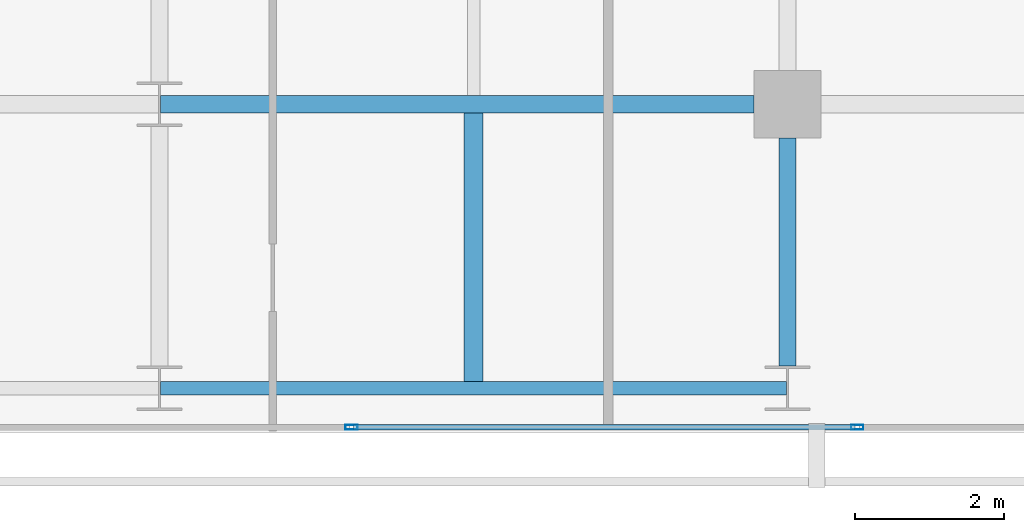
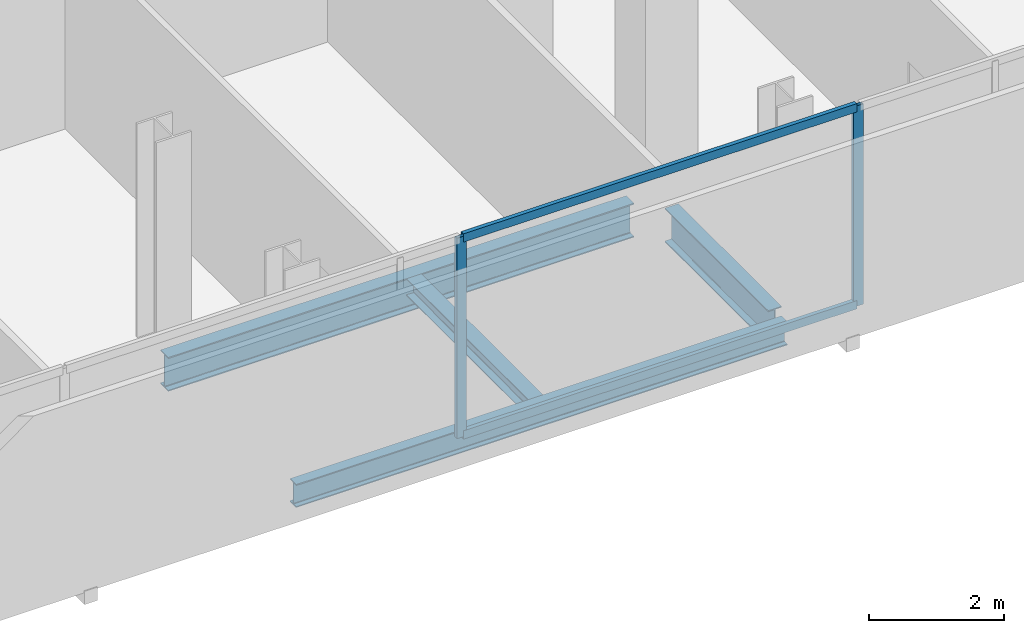
# One storey, part 12 of 33: 4 beams, 4 members, 1 element without a shape of its own.
"""IFC4 building model written with IfcOpenShell, lengths in metres."""

from ifc_helpers import new_model, si_unit, direction, frame, origin, origin_2d, place, context, subcontext, project, spatial, hollow_rectangle, i_section, extrude, material, layer, layer_set, material_profile, profile_set, type_object, element, aggregate, save


model = new_model("IFC4")

# Units and contexts
model_context = context("Model", 3, precision=1e-05, world=origin(), true_north=direction((0.0, 1.0)))
body_context = subcontext(model_context, "Body", "Model", "MODEL_VIEW")
ifc_project = project(units=[si_unit("LENGTHUNIT", "METRE"), si_unit("AREAUNIT", "SQUARE_METRE"), si_unit("VOLUMEUNIT", "CUBIC_METRE"), si_unit("PLANEANGLEUNIT", "RADIAN"), si_unit("MASSUNIT", "GRAM", prefix="KILO")], contexts=[model_context])

# Site, building, storey
site_placement = place(None, origin())
site = spatial("IfcSite", under=ifc_project, at=site_placement, CompositionType="ELEMENT")
building_placement = place(site_placement, origin())
building = spatial("IfcBuilding", under=site, at=building_placement, Name="Maruvema Waterfront Hotel and Observation Tower", CompositionType="ELEMENT")
storey_placement = place(building_placement, frame((0.0, 0.0, 142.800048828125)))
storey = spatial("IfcBuildingStorey", under=building, at=storey_placement, Name="L34", CompositionType="ELEMENT", Elevation=142.800048828125)

# Curtain wall, members
ifc_material_1 = material(Name="Anodised bronze aluminium and solar-control low-E IGU", Category="aluminium")
ifc_layer = layer(ifc_material_1, 0.159912109375, Name="Zone 2 Amber Inner Thermal Curtain Wall System CW-03")
ifc_layer_set = layer_set([ifc_layer], Name="Anodised bronze aluminium and solar-control low-E IGU")
curtain_wall_type = type_object("IfcCurtainWallType", Name="Zone 2 Amber Inner Thermal Curtain Wall System CW-03", PredefinedType="USERDEFINED", material=ifc_layer_set)
curtain_wall_placement = place(storey_placement, origin())
curtain_wall = element("IfcCurtainWall", 1, at=curtain_wall_placement, inside=storey, type_object=curtain_wall_type, Name="L34 Curtain Wall CW-L34-S", ObjectType="UNITISED CURTAIN WALL", PredefinedType="USERDEFINED")
ifc_material_2 = material(Name="Anodised architectural bronze aluminium", Category="aluminium")
ifc_material_profile_1 = material_profile(ifc_material_2, hollow_rectangle(XDim=0.070068359375, YDim=0.14990234375, WallThickness=0.00390625, at=origin_2d()), Name="ALU-T70x150")
ifc_profile_set_1 = profile_set([ifc_material_profile_1], Name="Anodised architectural bronze aluminium")
member_type_1 = type_object("IfcMemberType", Name="Curtain Wall Horizontal Transom ALU-T70x150", PredefinedType="USERDEFINED", material=ifc_profile_set_1)
member_1_placement = place(storey_placement, frame((44.5966796875, 4.679931640625, 0.030029296875), z_axis=(1.0, 0.0, 0.0), x_axis=(0.0, 1.0, 0.0)))
member_1 = element("IfcMember", 2, at=member_1_placement, type_object=member_type_1, Name="CW-03 transom 5.1", ObjectType="TRANSOM", PredefinedType="USERDEFINED", context=body_context, shape_type="SweptSolid", body=[
    extrude(hollow_rectangle(XDim=0.070068359375, YDim=0.14990234375, WallThickness=0.00390625, at=origin_2d()), origin(), (0.0, 0.0, 1.0), 6.70654296875),
])
member_2_placement = place(storey_placement, frame((44.5966796875, 4.679931640625, 3.579833984375), z_axis=(1.0, 0.0, 0.0), x_axis=(0.0, 1.0, 0.0)))
member_2 = element("IfcMember", 3, at=member_2_placement, type_object=member_type_1, Name="CW-03 transom 5.2", ObjectType="TRANSOM", PredefinedType="USERDEFINED", context=body_context, shape_type="SweptSolid", body=[
    extrude(hollow_rectangle(XDim=0.070068359375, YDim=0.14990234375, WallThickness=0.00390625, at=origin_2d()), origin(), (0.0, 0.0, 1.0), 6.70654296875),
])
ifc_material_3 = material(Name="Anodised architectural bronze aluminium", Category="aluminium")
ifc_material_profile_2 = material_profile(ifc_material_3, hollow_rectangle(XDim=0.06494140625, YDim=0.1650390625, WallThickness=0.00390625, at=origin_2d()), Name="ALU-M65x165")
ifc_profile_set_2 = profile_set([ifc_material_profile_2], Name="Anodised architectural bronze aluminium")
member_type_2 = type_object("IfcMemberType", Name="Curtain Wall Primary Mullion ALU-M65x165", PredefinedType="MULLION", material=ifc_profile_set_2)
member_3_placement = place(storey_placement, frame((44.566650390625, 4.679931640625, 0.0), z_axis=(0.0, 0.0, 1.0), x_axis=(0.0, 1.0, 0.0)))
member_3 = element("IfcMember", 4, at=member_3_placement, type_object=member_type_2, Name="CW-03 mullion 5", PredefinedType="MULLION", context=body_context, shape_type="SweptSolid", body=[
    extrude(hollow_rectangle(XDim=0.06494140625, YDim=0.1650390625, WallThickness=0.00390625, at=origin_2d()), origin(), (0.0, 0.0, 1.0), 3.60986328125),
])
member_4_placement = place(storey_placement, frame((51.333251953125, 4.679931640625, 0.0), z_axis=(0.0, 0.0, 1.0), x_axis=(0.0, 1.0, 0.0)))
member_4 = element("IfcMember", 5, at=member_4_placement, type_object=member_type_2, Name="CW-03 mullion 6", PredefinedType="MULLION", context=body_context, shape_type="SweptSolid", body=[
    extrude(hollow_rectangle(XDim=0.06494140625, YDim=0.1650390625, WallThickness=0.00390625, at=origin_2d()), origin(), (0.0, 0.0, 1.0), 3.60986328125),
])
aggregate(curtain_wall, [member_3, member_4, member_1, member_2])

# Beams
ifc_material_4 = material(Name="Steel ASTM A572 Grade 50", Category="steel")
ifc_material_profile_3 = material_profile(ifc_material_4, i_section(OverallWidth=0.180908203125, OverallDepth=0.4169921875, WebThickness=0.010986328125, FlangeThickness=0.018310546875, FilletRadius=0.014892578125, at=origin_2d()), Name="W410x85.0")
ifc_profile_set_3 = profile_set([ifc_material_profile_3], Name="Steel ASTM A572 Grade 50")
beam_type_1 = type_object("IfcBeamType", Name="Perimeter Spandrel Beam W410x85.0", PredefinedType="SPANDREL", material=ifc_profile_set_3)
beam_1_placement = place(storey_placement, frame((42.012451171875, 5.199951171875, -0.448486328125), z_axis=(1.0, 0.0, 0.0), x_axis=(0.0, 1.0, 0.0)))
element("IfcBeam", 6, at=beam_1_placement, inside=storey, type_object=beam_type_1, Name="L34 Floor Girder EW-03", PredefinedType="SPANDREL", context=body_context, shape_type="SweptSolid", body=[
    extrude(i_section(OverallWidth=0.180908203125, OverallDepth=0.4169921875, WebThickness=0.010986328125, FlangeThickness=0.018310546875, FilletRadius=0.014892578125, at=origin_2d()), origin(), (0.0, 0.0, 1.0), 8.375),
])
ifc_material_5 = material(Name="Steel ASTM A572 Grade 50", Category="steel")
ifc_material_profile_4 = material_profile(ifc_material_5, i_section(OverallWidth=0.22900390625, OverallDepth=0.612060546875, WebThickness=0.011962890625, FlangeThickness=0.01953125, FilletRadius=0.01806640625, at=origin_2d()), Name="W610x125.0")
ifc_profile_set_4 = profile_set([ifc_material_profile_4], Name="Steel ASTM A572 Grade 50")
beam_type_2 = type_object("IfcBeamType", Name="Primary Floor Girder W610x125.0", PredefinedType="BEAM", material=ifc_profile_set_4)
beam_2_placement = place(storey_placement, frame((42.012451171875, 9.0, -0.546142578125), z_axis=(1.0, 0.0, 0.0), x_axis=(0.0, 1.0, 0.0)))
element("IfcBeam", 7, at=beam_2_placement, inside=storey, type_object=beam_type_2, Name="L34 Floor Girder EW-08", PredefinedType="BEAM", context=body_context, shape_type="SweptSolid", body=[
    extrude(i_section(OverallWidth=0.22900390625, OverallDepth=0.612060546875, WebThickness=0.011962890625, FlangeThickness=0.01953125, FilletRadius=0.01806640625, at=origin_2d()), origin(), (0.0, 0.0, 1.0), 7.9375),
])
beam_3_placement = place(storey_placement, frame((50.39990234375, 5.5, -0.546142578125), z_axis=(0.0, 1.0, 0.0), x_axis=(-1.0, 0.0, 0.0)))
element("IfcBeam", 8, at=beam_3_placement, inside=storey, type_object=beam_type_2, Name="L34 Floor Girder NS-20", PredefinedType="BEAM", context=body_context, shape_type="SweptSolid", body=[
    extrude(i_section(OverallWidth=0.22900390625, OverallDepth=0.612060546875, WebThickness=0.011962890625, FlangeThickness=0.01953125, FilletRadius=0.01806640625, at=origin_2d()), origin(), (0.0, 0.0, 1.0), 3.050048828125),
])
ifc_material_6 = material(Name="Steel ASTM A572 Grade 50", Category="steel")
ifc_material_profile_5 = material_profile(ifc_material_6, i_section(OverallWidth=0.25390625, OverallDepth=0.305908203125, WebThickness=0.0087890625, FlangeThickness=0.0146484375, FilletRadius=0.014892578125, at=origin_2d()), Name="W310x79.0")
ifc_profile_set_5 = profile_set([ifc_material_profile_5], Name="Steel ASTM A572 Grade 50")
beam_type_3 = type_object("IfcBeamType", Name="Secondary Floor Joist W310x79.0", PredefinedType="JOIST", material=ifc_profile_set_5)
beam_4_placement = place(storey_placement, frame((46.199951171875, 5.29052734375, -0.39306640625), z_axis=(0.0, 1.0, 0.0), x_axis=(-1.0, 0.0, 0.0)))
element("IfcBeam", 9, at=beam_4_placement, inside=storey, type_object=beam_type_3, Name="L34 Secondary Floor Joist JS-09", PredefinedType="JOIST", context=body_context, shape_type="SweptSolid", body=[
    extrude(i_section(OverallWidth=0.25390625, OverallDepth=0.305908203125, WebThickness=0.0087890625, FlangeThickness=0.0146484375, FilletRadius=0.014892578125, at=origin_2d()), origin(), (0.0, 0.0, 1.0), 3.594970703125),
])

save(model, "model.ifc")
